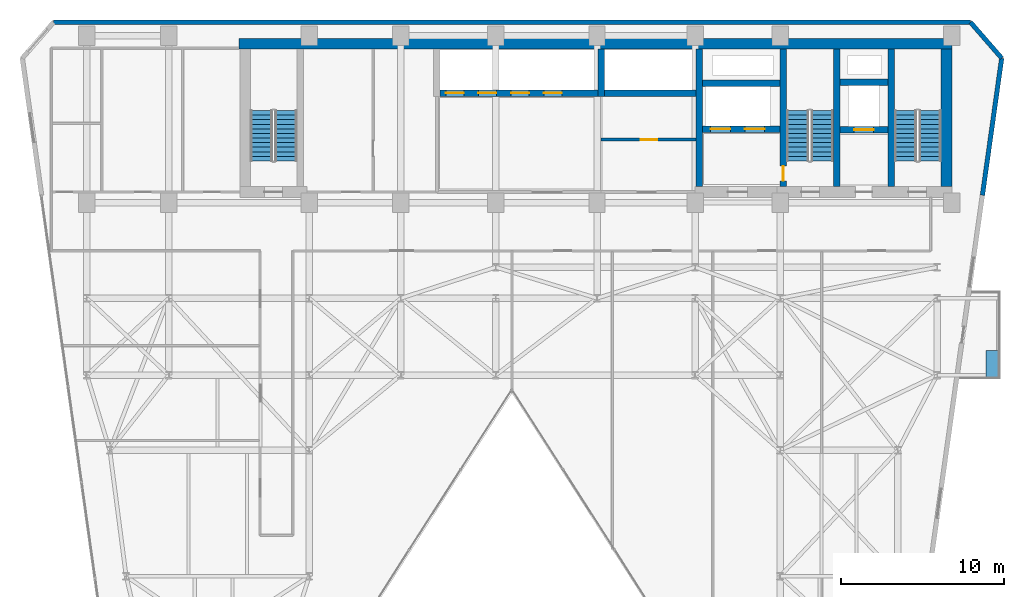
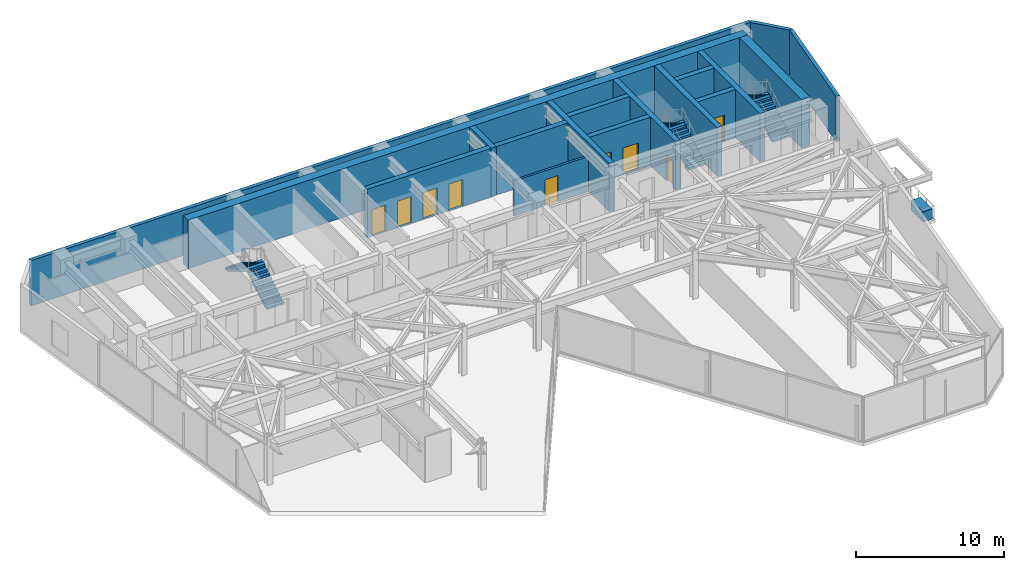
# One storey, part 23 of 26: 17 walls, 9 doors, 6 stair flights, 1 discrete accessory, 9 openings, 3 elements without a shape of their own.
"""IFC4 building model written with IfcOpenShell, lengths in metres."""

from ifc_helpers import new_model, si_unit, direction, frame, frame_2d, origin, origin_2d, place, context, subcontext, project, spatial, polyline, rectangle, outline, extrude, material, layer, layer_set, type_object, element, fill, aggregate, save


model = new_model("IFC4")

# Units and contexts
model_context = context("Model", 3, precision=1e-05, world=origin(), true_north=direction((0.0, 1.0)))
body_context = subcontext(model_context, "Body", "Model", "MODEL_VIEW")
ifc_project = project(units=[si_unit("LENGTHUNIT", "METRE"), si_unit("AREAUNIT", "SQUARE_METRE"), si_unit("VOLUMEUNIT", "CUBIC_METRE"), si_unit("PLANEANGLEUNIT", "RADIAN"), si_unit("MASSUNIT", "GRAM", prefix="KILO")], contexts=[model_context])

# Site, building, storey
site_placement = place(None, origin())
site = spatial("IfcSite", under=ifc_project, at=site_placement, CompositionType="ELEMENT")
building_placement = place(site_placement, origin())
building = spatial("IfcBuilding", under=site, at=building_placement, Name="Kravanh Interchange Tower", CompositionType="ELEMENT")
storey_placement = place(building_placement, frame((0.0, 0.0, 136.0)))
storey = spatial("IfcBuildingStorey", under=building, at=storey_placement, Name="L32", CompositionType="ELEMENT", Elevation=136.0)

# Walls
ifc_material_1 = material(Name="Concrete C70/85", Category="concrete")
ifc_layer_1 = layer(ifc_material_1, 0.64990234375)
ifc_layer_set_1 = layer_set([ifc_layer_1], Name="Core Shear Wall Concrete C70/85 650mm")
wall_type_1 = type_object("IfcWallType", Name="Core Shear Wall Concrete C70/85 650mm", PredefinedType="SHEAR", material=ifc_layer_set_1)
wall_1_placement = place(storey_placement, frame((22.89990234375, 47.074951171875, 0.0), z_axis=(0.0, 0.0, 1.0), x_axis=(1.0, 0.0, 0.0)))
element("IfcWall", 1, at=wall_1_placement, inside=storey, type_object=wall_type_1, Name="L32 North Core Shear Wall", PredefinedType="SHEAR", context=body_context, shape_type="SweptSolid", body=[
    extrude(rectangle(XDim=43.60009765625, YDim=0.64990234375, at=frame_2d((21.800048828125, 0.0))), origin(), (0.0, 0.0, 1.0), 4.0),
])
wall_2_placement = place(storey_placement, frame((66.175048828125, 38.324951171875, 0.0), z_axis=(0.0, 0.0, 1.0), x_axis=(0.0, 1.0, 0.0)))
element("IfcWall", 2, at=wall_2_placement, inside=storey, type_object=wall_type_1, Name="L32 Stair ST1 East Shear Wall", PredefinedType="SHEAR", context=body_context, shape_type="SweptSolid", body=[
    extrude(rectangle(XDim=8.425048828125, YDim=0.64990234375, at=frame_2d((4.21240234375, 0.0))), origin(), (0.0, 0.0, 1.0), 4.0),
])
ifc_material_2 = material(Name="Concrete C80/95", Category="concrete")
ifc_layer_2 = layer(ifc_material_2, 0.39990234375)
ifc_layer_set_2 = layer_set([ifc_layer_2], Name="Core Shear Wall Concrete C80/95 400mm")
wall_type_2 = type_object("IfcWallType", Name="Core Shear Wall Concrete C80/95 400mm", PredefinedType="SHEAR", material=ifc_layer_set_2)
for number, where, z_axis, x_axis, name in (
    (3, (62.800048828125, 38.324951171875, 0.0), (0.0, 0.0, 1.0), (0.0, 1.0, 0.0), "L32 Stair ST1 West Shear Wall"),
    (4, (59.449951171875, 38.324951171875, 0.0), (0.0, 0.0, 1.0), (0.0, 1.0, 0.0), "L32 Stair ST2 East Shear Wall"),
):
    element("IfcWall", number, at=place(storey_placement, frame(where, z_axis=z_axis, x_axis=x_axis)), inside=storey, type_object=wall_type_2, Name=name, PredefinedType="SHEAR", context=body_context, shape_type="SweptSolid", body=[
        extrude(rectangle(XDim=8.425048828125, YDim=0.39990234375, at=frame_2d((4.21240234375, 0.0))), origin(), (0.0, 0.0, 1.0), 4.0),
    ])

# Wall, opening, door
wall_3_placement = place(storey_placement, frame((56.199951171875, 38.324951171875, 0.0), z_axis=(0.0, 0.0, 1.0), x_axis=(0.0, 1.0, 0.0)))
wall_3 = element("IfcWall", 5, at=wall_3_placement, inside=storey, type_object=wall_type_2, Name="L32 Stair ST2 West Shear Wall", PredefinedType="SHEAR", context=body_context, shape_type="SweptSolid", body=[
    extrude(rectangle(XDim=8.425048828125, YDim=0.39990234375, at=frame_2d((4.21240234375, 0.0))), origin(), (0.0, 0.0, 1.0), 4.0),
])
opening_1_placement = place(wall_3_placement, frame((0.35498046875, 0.0, 0.0)))
opening_1 = element("IfcOpeningElement", 6, at=opening_1_placement, cuts=wall_3, Name="Opening D-STAIR-90", PredefinedType="OPENING", context=body_context, shape_type="SweptSolid", body=[
    extrude(rectangle(XDim=0.89990234375, YDim=2.14990234375, at=frame_2d((0.449951171875, 1.074951171875))), frame((0.0, 0.2099609375, 0.0), z_axis=(0.0, -1.0, 0.0), x_axis=(1.0, 0.0, 0.0)), (0.0, 0.0, 1.0), 0.419921875),
])
ifc_material_3 = material(Name="Structural Steel S355", Category="steel")
door_type_1 = type_object("IfcDoorType", Name="Fire-Rated Stair Lobby Door 900x2150", OperationType="NOTDEFINED", PredefinedType="DOOR", material=ifc_material_3)
door_1_placement = place(opening_1_placement, origin())
door_1 = element("IfcDoor", 7, at=door_1_placement, inside=storey, type_object=door_type_1, Name="L32 Firefighting Lobby to Stair ST2 Door", OperationType="SINGLE_SWING_LEFT", OverallHeight=2.14990234375, OverallWidth=0.89990234375, PredefinedType="DOOR", context=body_context, shape_type="SweptSolid", body=[
    extrude(rectangle(XDim=0.89990234375, YDim=2.14990234375, at=frame_2d((0.449951171875, 1.074951171875))), frame((0.0, 0.02490234375, 0.0), z_axis=(0.0, -1.0, 0.0), x_axis=(1.0, 0.0, 0.0)), (0.0, 0.0, 1.0), 0.050048828125),
])
fill(opening_1, door_1)

wall_4_placement = place(storey_placement, frame((59.64990234375, 41.800048828125, 0.0), z_axis=(0.0, 0.0, 1.0), x_axis=(1.0, 0.0, 0.0)))
wall_4 = element("IfcWall", 8, at=wall_4_placement, inside=storey, type_object=wall_type_2, Name="L32 Service Lift Shaft South Wall", PredefinedType="SHEAR", context=body_context, shape_type="SweptSolid", body=[
    extrude(rectangle(XDim=2.9501953125, YDim=0.39990234375, at=frame_2d((1.47509765625, 0.0))), origin(), (0.0, 0.0, 1.0), 4.0),
])
opening_2_placement = place(wall_4_placement, frame((0.8701171875, 0.0, 0.0)))
opening_2 = element("IfcOpeningElement", 9, at=opening_2_placement, cuts=wall_4, Name="Opening LD02", PredefinedType="OPENING", context=body_context, shape_type="SweptSolid", body=[
    extrude(rectangle(XDim=1.199951171875, YDim=2.199951171875, at=frame_2d((0.60009765625, 1.10009765625))), frame((0.0, 0.2099609375, 0.0), z_axis=(0.0, -1.0, 0.0), x_axis=(1.0, 0.0, 0.0)), (0.0, 0.0, 1.0), 0.419921875),
])
ifc_material_4 = material(Name="Stainless Steel 316", Category="steel")
door_type_2 = type_object("IfcDoorType", Name="Fire and Service Lift Sliding Landing Door 1200x2200", OperationType="DOUBLE_DOOR_SLIDING", PredefinedType="DOOR", material=ifc_material_4)
door_2_placement = place(opening_2_placement, origin())
door_2 = element("IfcDoor", 10, at=door_2_placement, inside=storey, type_object=door_type_2, Name="L32 Lift LS-01 Landing Door", OperationType="DOUBLE_DOOR_SLIDING", OverallHeight=2.199951171875, OverallWidth=1.199951171875, PredefinedType="DOOR", context=body_context, shape_type="SweptSolid", body=[
    extrude(rectangle(XDim=1.199951171875, YDim=2.199951171875, at=frame_2d((0.60009765625, 1.10009765625))), frame((0.0, 0.02490234375, 0.0), z_axis=(0.0, -1.0, 0.0), x_axis=(1.0, 0.0, 0.0)), (0.0, 0.0, 1.0), 0.050048828125),
])
fill(opening_2, door_2)

# Wall
wall_5_placement = place(storey_placement, frame((59.64990234375, 44.699951171875, 0.0), z_axis=(0.0, 0.0, 1.0), x_axis=(1.0, 0.0, 0.0)))
element("IfcWall", 11, at=wall_5_placement, inside=storey, type_object=wall_type_2, Name="L32 Service Lift Shaft North Wall", PredefinedType="SHEAR", context=body_context, shape_type="SweptSolid", body=[
    extrude(rectangle(XDim=2.9501953125, YDim=0.39990234375, at=frame_2d((1.47509765625, 0.0))), origin(), (0.0, 0.0, 1.0), 4.0),
])

# Wall, openings, doors
wall_6_placement = place(storey_placement, frame((51.25, 41.85009765625, 0.0), z_axis=(0.0, 0.0, 1.0), x_axis=(1.0, 0.0, 0.0)))
wall_6 = element("IfcWall", 12, at=wall_6_placement, inside=storey, type_object=wall_type_2, Name="L32 Fire Lift Shaft South Wall", PredefinedType="SHEAR", context=body_context, shape_type="SweptSolid", body=[
    extrude(rectangle(XDim=4.75, YDim=0.39990234375, at=frame_2d((2.375, 0.0))), origin(), (0.0, 0.0, 1.0), 4.0),
])
opening_3_placement = place(wall_6_placement, frame((0.5, 0.0, 0.0)))
opening_3 = element("IfcOpeningElement", 13, at=opening_3_placement, cuts=wall_6, Name="Opening LD02", PredefinedType="OPENING", context=body_context, shape_type="SweptSolid", body=[
    extrude(rectangle(XDim=1.199951171875, YDim=2.199951171875, at=frame_2d((0.60009765625, 1.10009765625))), frame((0.0, 0.2099609375, 0.0), z_axis=(0.0, -1.0, 0.0), x_axis=(1.0, 0.0, 0.0)), (0.0, 0.0, 1.0), 0.419921875),
])
opening_4_placement = place(wall_6_placement, frame((2.60009765625, 0.0, 0.0)))
opening_4 = element("IfcOpeningElement", 14, at=opening_4_placement, cuts=wall_6, Name="Opening LD02", PredefinedType="OPENING", context=body_context, shape_type="SweptSolid", body=[
    extrude(rectangle(XDim=1.199951171875, YDim=2.199951171875, at=frame_2d((0.60009765625, 1.10009765625))), frame((0.0, 0.2099609375, 0.0), z_axis=(0.0, -1.0, 0.0), x_axis=(1.0, 0.0, 0.0)), (0.0, 0.0, 1.0), 0.419921875),
])
door_3_placement = place(opening_3_placement, origin())
door_3 = element("IfcDoor", 15, at=door_3_placement, inside=storey, type_object=door_type_2, Name="L32 Lift FSAE-01 Landing Door", OperationType="DOUBLE_DOOR_SLIDING", OverallHeight=2.199951171875, OverallWidth=1.199951171875, PredefinedType="DOOR", context=body_context, shape_type="SweptSolid", body=[
    extrude(rectangle(XDim=1.199951171875, YDim=2.199951171875, at=frame_2d((0.60009765625, 1.10009765625))), frame((0.0, 0.02490234375, 0.0), z_axis=(0.0, -1.0, 0.0), x_axis=(1.0, 0.0, 0.0)), (0.0, 0.0, 1.0), 0.050048828125),
])
fill(opening_3, door_3)
door_4_placement = place(opening_4_placement, origin())
door_4 = element("IfcDoor", 16, at=door_4_placement, inside=storey, type_object=door_type_2, Name="L32 Lift FSAE-02 Landing Door", OperationType="DOUBLE_DOOR_SLIDING", OverallHeight=2.199951171875, OverallWidth=1.199951171875, PredefinedType="DOOR", context=body_context, shape_type="SweptSolid", body=[
    extrude(rectangle(XDim=1.199951171875, YDim=2.199951171875, at=frame_2d((0.60009765625, 1.10009765625))), frame((0.0, 0.02490234375, 0.0), z_axis=(0.0, -1.0, 0.0), x_axis=(1.0, 0.0, 0.0)), (0.0, 0.0, 1.0), 0.050048828125),
])
fill(opening_4, door_4)

# Walls
wall_7_placement = place(storey_placement, frame((51.25, 44.64990234375, 0.0), z_axis=(0.0, 0.0, 1.0), x_axis=(1.0, 0.0, 0.0)))
element("IfcWall", 17, at=wall_7_placement, inside=storey, type_object=wall_type_2, Name="L32 Fire Lift Shaft North Wall", PredefinedType="SHEAR", context=body_context, shape_type="SweptSolid", body=[
    extrude(rectangle(XDim=4.75, YDim=0.39990234375, at=frame_2d((2.375, 0.0))), origin(), (0.0, 0.0, 1.0), 4.0),
])
wall_8_placement = place(storey_placement, frame((51.050048828125, 38.324951171875, 0.0), z_axis=(0.0, 0.0, 1.0), x_axis=(0.0, 1.0, 0.0)))
element("IfcWall", 18, at=wall_8_placement, inside=storey, type_object=wall_type_2, Name="L32 Firefighting Lobby West Wall", PredefinedType="SHEAR", context=body_context, shape_type="SweptSolid", body=[
    extrude(rectangle(XDim=8.425048828125, YDim=0.39990234375, at=frame_2d((4.21240234375, 0.0))), origin(), (0.0, 0.0, 1.0), 4.0),
])
wall_9_placement = place(storey_placement, frame((45.25, 44.050048828125, 0.0), z_axis=(0.0, 0.0, 1.0), x_axis=(1.0, 0.0, 0.0)))
element("IfcWall", 19, at=wall_9_placement, inside=storey, type_object=wall_type_2, Name="L32 High-Rise Lift Shaft South Wall", PredefinedType="SHEAR", context=body_context, shape_type="SweptSolid", body=[
    extrude(rectangle(XDim=5.60009765625, YDim=0.39990234375, at=frame_2d((2.800048828125, 0.0))), origin(), (0.0, 0.0, 1.0), 4.0),
])
wall_10_placement = place(storey_placement, frame((45.050048828125, 43.85009765625, 0.0), z_axis=(0.0, 0.0, 1.0), x_axis=(0.0, 1.0, 0.0)))
element("IfcWall", 20, at=wall_10_placement, inside=storey, type_object=wall_type_2, Name="L32 High-Rise Lift Shaft West Wall", PredefinedType="SHEAR", context=body_context, shape_type="SweptSolid", body=[
    extrude(rectangle(XDim=2.89990234375, YDim=0.39990234375, at=frame_2d((1.449951171875, 0.0))), origin(), (0.0, 0.0, 1.0), 4.0),
])

# Wall, openings, doors
wall_11_placement = place(storey_placement, frame((35.199951171875, 44.050048828125, 0.0), z_axis=(0.0, 0.0, 1.0), x_axis=(1.0, 0.0, 0.0)))
wall_11 = element("IfcWall", 21, at=wall_11_placement, inside=storey, type_object=wall_type_2, Name="L32 Mid-Rise Lift Shaft South Wall", PredefinedType="SHEAR", context=body_context, shape_type="SweptSolid", body=[
    extrude(rectangle(XDim=9.650146484375, YDim=0.39990234375, at=frame_2d((4.8251953125, 0.0))), origin(), (0.0, 0.0, 1.0), 4.0),
])
opening_5_placement = place(wall_11_placement, frame((0.35009765625, 0.0, 0.0)))
opening_5 = element("IfcOpeningElement", 22, at=opening_5_placement, cuts=wall_11, Name="Opening LD01", PredefinedType="OPENING", context=body_context, shape_type="SweptSolid", body=[
    extrude(rectangle(XDim=1.10009765625, YDim=2.199951171875, at=frame_2d((0.550048828125, 1.10009765625))), frame((0.0, 0.2099609375, 0.0), z_axis=(0.0, -1.0, 0.0), x_axis=(1.0, 0.0, 0.0)), (0.0, 0.0, 1.0), 0.419921875),
])
opening_6_placement = place(wall_11_placement, frame((2.35009765625, 0.0, 0.0)))
opening_6 = element("IfcOpeningElement", 23, at=opening_6_placement, cuts=wall_11, Name="Opening LD01", PredefinedType="OPENING", context=body_context, shape_type="SweptSolid", body=[
    extrude(rectangle(XDim=1.10009765625, YDim=2.199951171875, at=frame_2d((0.550048828125, 1.10009765625))), frame((0.0, 0.2099609375, 0.0), z_axis=(0.0, -1.0, 0.0), x_axis=(1.0, 0.0, 0.0)), (0.0, 0.0, 1.0), 0.419921875),
])
opening_7_placement = place(wall_11_placement, frame((4.35009765625, 0.0, 0.0)))
opening_7 = element("IfcOpeningElement", 24, at=opening_7_placement, cuts=wall_11, Name="Opening LD01", PredefinedType="OPENING", context=body_context, shape_type="SweptSolid", body=[
    extrude(rectangle(XDim=1.10009765625, YDim=2.199951171875, at=frame_2d((0.550048828125, 1.10009765625))), frame((0.0, 0.2099609375, 0.0), z_axis=(0.0, -1.0, 0.0), x_axis=(1.0, 0.0, 0.0)), (0.0, 0.0, 1.0), 0.419921875),
])
opening_8_placement = place(wall_11_placement, frame((6.35009765625, 0.0, 0.0)))
opening_8 = element("IfcOpeningElement", 25, at=opening_8_placement, cuts=wall_11, Name="Opening LD01", PredefinedType="OPENING", context=body_context, shape_type="SweptSolid", body=[
    extrude(rectangle(XDim=1.10009765625, YDim=2.199951171875, at=frame_2d((0.550048828125, 1.10009765625))), frame((0.0, 0.2099609375, 0.0), z_axis=(0.0, -1.0, 0.0), x_axis=(1.0, 0.0, 0.0)), (0.0, 0.0, 1.0), 0.419921875),
])
ifc_material_5 = material(Name="Stainless Steel 304", Category="steel")
door_type_3 = type_object("IfcDoorType", Name="Passenger Lift Sliding Landing Door 1100x2200", OperationType="DOUBLE_DOOR_SLIDING", PredefinedType="DOOR", material=ifc_material_5)
door_5_placement = place(opening_5_placement, origin())
door_5 = element("IfcDoor", 26, at=door_5_placement, inside=storey, type_object=door_type_3, Name="L32 Lift LP-M1 Landing Door", OperationType="DOUBLE_DOOR_SLIDING", OverallHeight=2.199951171875, OverallWidth=1.10009765625, PredefinedType="DOOR", context=body_context, shape_type="SweptSolid", body=[
    extrude(rectangle(XDim=1.10009765625, YDim=2.199951171875, at=frame_2d((0.550048828125, 1.10009765625))), frame((0.0, 0.02490234375, 0.0), z_axis=(0.0, -1.0, 0.0), x_axis=(1.0, 0.0, 0.0)), (0.0, 0.0, 1.0), 0.050048828125),
])
fill(opening_5, door_5)
door_6_placement = place(opening_6_placement, origin())
door_6 = element("IfcDoor", 27, at=door_6_placement, inside=storey, type_object=door_type_3, Name="L32 Lift LP-M2 Landing Door", OperationType="DOUBLE_DOOR_SLIDING", OverallHeight=2.199951171875, OverallWidth=1.10009765625, PredefinedType="DOOR", context=body_context, shape_type="SweptSolid", body=[
    extrude(rectangle(XDim=1.10009765625, YDim=2.199951171875, at=frame_2d((0.550048828125, 1.10009765625))), frame((0.0, 0.02490234375, 0.0), z_axis=(0.0, -1.0, 0.0), x_axis=(1.0, 0.0, 0.0)), (0.0, 0.0, 1.0), 0.050048828125),
])
fill(opening_6, door_6)
door_7_placement = place(opening_7_placement, origin())
door_7 = element("IfcDoor", 28, at=door_7_placement, inside=storey, type_object=door_type_3, Name="L32 Lift LP-M3 Landing Door", OperationType="DOUBLE_DOOR_SLIDING", OverallHeight=2.199951171875, OverallWidth=1.10009765625, PredefinedType="DOOR", context=body_context, shape_type="SweptSolid", body=[
    extrude(rectangle(XDim=1.10009765625, YDim=2.199951171875, at=frame_2d((0.550048828125, 1.10009765625))), frame((0.0, 0.02490234375, 0.0), z_axis=(0.0, -1.0, 0.0), x_axis=(1.0, 0.0, 0.0)), (0.0, 0.0, 1.0), 0.050048828125),
])
fill(opening_7, door_7)
door_8_placement = place(opening_8_placement, origin())
door_8 = element("IfcDoor", 29, at=door_8_placement, inside=storey, type_object=door_type_3, Name="L32 Lift LP-M4 Landing Door", OperationType="DOUBLE_DOOR_SLIDING", OverallHeight=2.199951171875, OverallWidth=1.10009765625, PredefinedType="DOOR", context=body_context, shape_type="SweptSolid", body=[
    extrude(rectangle(XDim=1.10009765625, YDim=2.199951171875, at=frame_2d((0.550048828125, 1.10009765625))), frame((0.0, 0.02490234375, 0.0), z_axis=(0.0, -1.0, 0.0), x_axis=(1.0, 0.0, 0.0)), (0.0, 0.0, 1.0), 0.050048828125),
])
fill(opening_8, door_8)

# Walls
ifc_material_6 = material(Name="Insulated Precast Concrete C40/50 with Bronze Cladding", Category="concrete")
ifc_layer_3 = layer(ifc_material_6, 0.280029296875)
ifc_layer_set_3 = layer_set([ifc_layer_3], Name="Exterior Insulated Concrete C40/50 Bronze Spandrel Wall 280mm")
wall_type_3 = type_object("IfcWallType", Name="Exterior Insulated Concrete C40/50 Bronze Spandrel Wall 280mm", PredefinedType="STANDARD", material=ifc_layer_set_3)
wall_12_placement = place(storey_placement, frame((11.5546875, 48.3798828125, 0.0), z_axis=(0.0, 0.0, 1.0), x_axis=(1.0, 0.0, 0.0)))
element("IfcWall", 30, at=wall_12_placement, inside=storey, type_object=wall_type_3, Name="L32 Exterior Wall 3", PredefinedType="STANDARD", context=body_context, shape_type="SweptSolid", body=[
    extrude(rectangle(XDim=56.090576171875, YDim=0.280029296875, at=frame_2d((28.04541015625, 0.0))), origin(), (0.0, 0.0, 1.0), 3.75),
])
wall_13_placement = place(storey_placement, frame((67.645263671875, 48.3798828125, 0.0), z_axis=(0.0, 0.0, 1.0), x_axis=(0.656070644076, -0.754699483226, 0.0)))
element("IfcWall", 31, at=wall_13_placement, inside=storey, type_object=wall_type_3, Name="L32 Exterior Wall 4", PredefinedType="STANDARD", context=body_context, shape_type="SweptSolid", body=[
    extrude(rectangle(XDim=2.908447265625, YDim=0.280029296875, at=frame_2d((1.4541015625, 0.0))), origin(), (0.0, 0.0, 1.0), 3.75),
])
wall_14_placement = place(storey_placement, frame((69.553466796875, 46.184814453125, 0.0), z_axis=(0.0, 0.0, 1.0), x_axis=(-0.139180610108, -0.990267013371, 0.0)))
element("IfcWall", 32, at=wall_14_placement, inside=storey, type_object=wall_type_3, Name="L32 Exterior Wall 5", PredefinedType="STANDARD", context=body_context, shape_type="SweptSolid", body=[
    extrude(rectangle(XDim=8.46728515625, YDim=0.280029296875, at=frame_2d((4.233642578125, 0.0))), origin(), (0.0, 0.0, 1.0), 3.75),
])

# Wall, opening, door
ifc_material_7 = material(Name="Autoclaved Aerated Concrete C30/37 Blockwork", Category="masonry")
ifc_layer_4 = layer(ifc_material_7, 0.179931640625)
ifc_layer_set_4 = layer_set([ifc_layer_4], Name="Fire-Rated Lobby and Corridor Wall Concrete C30/37 180mm")
wall_type_4 = type_object("IfcWallType", Name="Fire-Rated Lobby and Corridor Wall Concrete C30/37 180mm", PredefinedType="STANDARD", material=ifc_layer_set_4)
wall_15_placement = place(storey_placement, frame((45.050048828125, 41.199951171875, 0.0), z_axis=(0.0, 0.0, 1.0), x_axis=(1.0, 0.0, 0.0)))
wall_15 = element("IfcWall", 33, at=wall_15_placement, inside=storey, type_object=wall_type_4, Name="L32 Interior Partition 2", PredefinedType="STANDARD", context=body_context, shape_type="SweptSolid", body=[
    extrude(rectangle(XDim=5.7919921875, YDim=0.179931640625, at=frame_2d((2.89599609375, 0.0))), origin(), (0.0, 0.0, 1.0), 2.89404296875),
])
opening_9_placement = place(wall_15_placement, frame((2.425048828125, 0.0, 0.0)))
opening_9 = element("IfcOpeningElement", 34, at=opening_9_placement, cuts=wall_15, Name="Opening D-HOTEL-100", PredefinedType="OPENING", context=body_context, shape_type="SweptSolid", body=[
    extrude(rectangle(XDim=1.0, YDim=2.14990234375, at=frame_2d((0.5, 1.074951171875))), frame((0.0, 0.10009765625, 0.0), z_axis=(0.0, -1.0, 0.0), x_axis=(1.0, 0.0, 0.0)), (0.0, 0.0, 1.0), 0.199951171875),
])
ifc_material_8 = material(Name="Fire-Rated Solid Timber Leaf", Category="wood")
door_type_4 = type_object("IfcDoorType", Name="Fire-Rated Suite Entrance Door 1000x2150", OperationType="NOTDEFINED", PredefinedType="DOOR", material=ifc_material_8)
door_9_placement = place(opening_9_placement, origin())
door_9 = element("IfcDoor", 35, at=door_9_placement, inside=storey, type_object=door_type_4, Name="L32 Core Telecom Inner Door", OperationType="SINGLE_SWING_RIGHT", OverallHeight=2.14990234375, OverallWidth=1.0, PredefinedType="DOOR", context=body_context, shape_type="SweptSolid", body=[
    extrude(rectangle(XDim=1.0, YDim=2.14990234375, at=frame_2d((0.5, 1.074951171875))), frame((0.0, 0.02490234375, 0.0), z_axis=(0.0, -1.0, 0.0), x_axis=(1.0, 0.0, 0.0)), (0.0, 0.0, 1.0), 0.050048828125),
])
fill(opening_9, door_9)

# Stair, stair flights
ifc_material_9 = material(Name="Concrete C50/60", Category="concrete")
stair_type = type_object("IfcStairType", Name="Core Fire Exit Dogleg Stair Concrete C50/60", PredefinedType="HALF_TURN_STAIR", material=ifc_material_9)
stair_1_placement = place(storey_placement, origin())
stair_1 = element("IfcStair", 36, at=stair_1_placement, inside=storey, type_object=stair_type, Name="L32 Exit Stair ST1", PredefinedType="HALF_TURN_STAIR")
ifc_material_10 = material(Name="Precast Concrete C50/60", Category="concrete")
ifc_layer_5 = layer(ifc_material_10, 0.199951171875)
ifc_layer_set_5 = layer_set([ifc_layer_5], Name="Precast Concrete C50/60 Stair Flight 1350mm")
stair_flight_type = type_object("IfcStairFlightType", Name="Precast Concrete C50/60 Stair Flight 1350mm", PredefinedType="STRAIGHT", material=ifc_layer_set_5)
stair_flight_1_placement = place(storey_placement, frame((65.175048828125, 39.89990234375, 0.0), z_axis=(0.0, 0.0, 1.0), x_axis=(0.0, 1.0, 0.0)))
stair_flight_1 = element("IfcStairFlight", 37, at=stair_flight_1_placement, type_object=stair_flight_type, Name="ST1 flight 1", NumberOfRisers=12, NumberOfTreads=11, PredefinedType="STRAIGHT", RiserHeight=0.166666667, TreadLength=0.28, context=body_context, shape_type="SweptSolid", body=[
    extrude(outline(polyline([(0.0, 0.0), (0.0, 0.166748046875), (0.280029296875, 0.166748046875), (0.280029296875, 0.333251953125), (0.56005859375, 0.333251953125), (0.56005859375, 0.5), (0.840087890625, 0.5), (0.840087890625, 0.666748046875), (1.1201171875, 0.666748046875), (1.1201171875, 0.833251953125), (1.39990234375, 0.833251953125), (1.39990234375, 1.0), (1.679931640625, 1.0), (1.679931640625, 1.166748046875), (1.9599609375, 1.166748046875), (1.9599609375, 1.333251953125), (2.239990234375, 1.333251953125), (2.239990234375, 1.5), (2.52001953125, 1.5), (2.52001953125, 1.666748046875), (2.800048828125, 1.666748046875), (2.800048828125, 1.833251953125), (3.080078125, 1.833251953125), (3.080078125, 2.0), (3.080078125, 1.658935546875), (0.29296875, 0.0), (0.0, 0.0)])), frame((0.0, 0.675048828125, 0.0), z_axis=(0.0, -1.0, 0.0), x_axis=(1.0, 0.0, 0.0)), (0.0, 0.0, 1.0), 1.35009765625),
])
stair_flight_2_placement = place(storey_placement, frame((63.675048828125, 42.97998046875, 2.0), z_axis=(0.0, 0.0, 1.0), x_axis=(0.0, -1.0, 0.0)))
stair_flight_2 = element("IfcStairFlight", 38, at=stair_flight_2_placement, type_object=stair_flight_type, Name="ST1 flight 2", NumberOfRisers=12, NumberOfTreads=11, PredefinedType="STRAIGHT", RiserHeight=0.166666667, TreadLength=0.28, context=body_context, shape_type="SweptSolid", body=[
    extrude(outline(polyline([(0.0, 0.0), (0.0, 0.166748046875), (0.280029296875, 0.166748046875), (0.280029296875, 0.333251953125), (0.56005859375, 0.333251953125), (0.56005859375, 0.5), (0.840087890625, 0.5), (0.840087890625, 0.666748046875), (1.1201171875, 0.666748046875), (1.1201171875, 0.833251953125), (1.39990234375, 0.833251953125), (1.39990234375, 1.0), (1.679931640625, 1.0), (1.679931640625, 1.166748046875), (1.9599609375, 1.166748046875), (1.9599609375, 1.333251953125), (2.239990234375, 1.333251953125), (2.239990234375, 1.5), (2.52001953125, 1.5), (2.52001953125, 1.666748046875), (2.800048828125, 1.666748046875), (2.800048828125, 1.833251953125), (3.080078125, 1.833251953125), (3.080078125, 2.0), (3.080078125, 1.658935546875), (0.29296875, 0.0), (0.0, 0.0)])), frame((0.0, 0.675048828125, 0.0), z_axis=(0.0, -1.0, 0.0), x_axis=(1.0, 0.0, 0.0)), (0.0, 0.0, 1.0), 1.35009765625),
])
aggregate(stair_1, [stair_flight_1, stair_flight_2])

stair_2_placement = place(storey_placement, origin())
stair_2 = element("IfcStair", 39, at=stair_2_placement, inside=storey, type_object=stair_type, Name="L32 Exit Stair ST2", PredefinedType="HALF_TURN_STAIR")
stair_flight_3_placement = place(storey_placement, frame((58.574951171875, 39.89990234375, 0.0), z_axis=(0.0, 0.0, 1.0), x_axis=(0.0, 1.0, 0.0)))
stair_flight_3 = element("IfcStairFlight", 40, at=stair_flight_3_placement, type_object=stair_flight_type, Name="ST2 flight 1", NumberOfRisers=12, NumberOfTreads=11, PredefinedType="STRAIGHT", RiserHeight=0.166666667, TreadLength=0.28, context=body_context, shape_type="SweptSolid", body=[
    extrude(outline(polyline([(0.0, 0.0), (0.0, 0.166748046875), (0.280029296875, 0.166748046875), (0.280029296875, 0.333251953125), (0.56005859375, 0.333251953125), (0.56005859375, 0.5), (0.840087890625, 0.5), (0.840087890625, 0.666748046875), (1.1201171875, 0.666748046875), (1.1201171875, 0.833251953125), (1.39990234375, 0.833251953125), (1.39990234375, 1.0), (1.679931640625, 1.0), (1.679931640625, 1.166748046875), (1.9599609375, 1.166748046875), (1.9599609375, 1.333251953125), (2.239990234375, 1.333251953125), (2.239990234375, 1.5), (2.52001953125, 1.5), (2.52001953125, 1.666748046875), (2.800048828125, 1.666748046875), (2.800048828125, 1.833251953125), (3.080078125, 1.833251953125), (3.080078125, 2.0), (3.080078125, 1.658935546875), (0.29296875, 0.0), (0.0, 0.0)])), frame((0.0, 0.675048828125, 0.0), z_axis=(0.0, -1.0, 0.0), x_axis=(1.0, 0.0, 0.0)), (0.0, 0.0, 1.0), 1.35009765625),
])
stair_flight_4_placement = place(storey_placement, frame((57.074951171875, 42.97998046875, 2.0), z_axis=(0.0, 0.0, 1.0), x_axis=(0.0, -1.0, 0.0)))
stair_flight_4 = element("IfcStairFlight", 41, at=stair_flight_4_placement, type_object=stair_flight_type, Name="ST2 flight 2", NumberOfRisers=12, NumberOfTreads=11, PredefinedType="STRAIGHT", RiserHeight=0.166666667, TreadLength=0.28, context=body_context, shape_type="SweptSolid", body=[
    extrude(outline(polyline([(0.0, 0.0), (0.0, 0.166748046875), (0.280029296875, 0.166748046875), (0.280029296875, 0.333251953125), (0.56005859375, 0.333251953125), (0.56005859375, 0.5), (0.840087890625, 0.5), (0.840087890625, 0.666748046875), (1.1201171875, 0.666748046875), (1.1201171875, 0.833251953125), (1.39990234375, 0.833251953125), (1.39990234375, 1.0), (1.679931640625, 1.0), (1.679931640625, 1.166748046875), (1.9599609375, 1.166748046875), (1.9599609375, 1.333251953125), (2.239990234375, 1.333251953125), (2.239990234375, 1.5), (2.52001953125, 1.5), (2.52001953125, 1.666748046875), (2.800048828125, 1.666748046875), (2.800048828125, 1.833251953125), (3.080078125, 1.833251953125), (3.080078125, 2.0), (3.080078125, 1.658935546875), (0.29296875, 0.0), (0.0, 0.0)])), frame((0.0, 0.675048828125, 0.0), z_axis=(0.0, -1.0, 0.0), x_axis=(1.0, 0.0, 0.0)), (0.0, 0.0, 1.0), 1.35009765625),
])
aggregate(stair_2, [stair_flight_3, stair_flight_4])

stair_3_placement = place(storey_placement, origin())
stair_3 = element("IfcStair", 42, at=stair_3_placement, inside=storey, type_object=stair_type, Name="L32 Exit Stair ST3", PredefinedType="HALF_TURN_STAIR")
stair_flight_5_placement = place(storey_placement, frame((25.77490234375, 39.89990234375, 0.0), z_axis=(0.0, 0.0, 1.0), x_axis=(0.0, 1.0, 0.0)))
stair_flight_5 = element("IfcStairFlight", 43, at=stair_flight_5_placement, type_object=stair_flight_type, Name="ST3 flight 1", NumberOfRisers=12, NumberOfTreads=11, PredefinedType="STRAIGHT", RiserHeight=0.166666667, TreadLength=0.28, context=body_context, shape_type="SweptSolid", body=[
    extrude(outline(polyline([(0.0, 0.0), (0.0, 0.166748046875), (0.280029296875, 0.166748046875), (0.280029296875, 0.333251953125), (0.56005859375, 0.333251953125), (0.56005859375, 0.5), (0.840087890625, 0.5), (0.840087890625, 0.666748046875), (1.1201171875, 0.666748046875), (1.1201171875, 0.833251953125), (1.39990234375, 0.833251953125), (1.39990234375, 1.0), (1.679931640625, 1.0), (1.679931640625, 1.166748046875), (1.9599609375, 1.166748046875), (1.9599609375, 1.333251953125), (2.239990234375, 1.333251953125), (2.239990234375, 1.5), (2.52001953125, 1.5), (2.52001953125, 1.666748046875), (2.800048828125, 1.666748046875), (2.800048828125, 1.833251953125), (3.080078125, 1.833251953125), (3.080078125, 2.0), (3.080078125, 1.658935546875), (0.29296875, 0.0), (0.0, 0.0)])), frame((0.0, 0.675048828125, 0.0), z_axis=(0.0, -1.0, 0.0), x_axis=(1.0, 0.0, 0.0)), (0.0, 0.0, 1.0), 1.35009765625),
])
stair_flight_6_placement = place(storey_placement, frame((24.27490234375, 42.97998046875, 2.0), z_axis=(0.0, 0.0, 1.0), x_axis=(0.0, -1.0, 0.0)))
stair_flight_6 = element("IfcStairFlight", 44, at=stair_flight_6_placement, type_object=stair_flight_type, Name="ST3 flight 2", NumberOfRisers=12, NumberOfTreads=11, PredefinedType="STRAIGHT", RiserHeight=0.166666667, TreadLength=0.28, context=body_context, shape_type="SweptSolid", body=[
    extrude(outline(polyline([(0.0, 0.0), (0.0, 0.166748046875), (0.280029296875, 0.166748046875), (0.280029296875, 0.333251953125), (0.56005859375, 0.333251953125), (0.56005859375, 0.5), (0.840087890625, 0.5), (0.840087890625, 0.666748046875), (1.1201171875, 0.666748046875), (1.1201171875, 0.833251953125), (1.39990234375, 0.833251953125), (1.39990234375, 1.0), (1.679931640625, 1.0), (1.679931640625, 1.166748046875), (1.9599609375, 1.166748046875), (1.9599609375, 1.333251953125), (2.239990234375, 1.333251953125), (2.239990234375, 1.5), (2.52001953125, 1.5), (2.52001953125, 1.666748046875), (2.800048828125, 1.666748046875), (2.800048828125, 1.833251953125), (3.080078125, 1.833251953125), (3.080078125, 2.0), (3.080078125, 1.658935546875), (0.29296875, 0.0), (0.0, 0.0)])), frame((0.0, 0.675048828125, 0.0), z_axis=(0.0, -1.0, 0.0), x_axis=(1.0, 0.0, 0.0)), (0.0, 0.0, 1.0), 1.35009765625),
])
aggregate(stair_3, [stair_flight_5, stair_flight_6])

# Discrete accessory
ifc_material_11 = material(Name="Architectural GRC Concrete C40/50 with Root Barrier", Category="concrete")
discrete_accessory_type = type_object("IfcDiscreteAccessoryType", Name="Structural Balcony Tree Planter Box Concrete C40/50 1600x750x850", PredefinedType="USERDEFINED", material=ifc_material_11)
discrete_accessory_placement = place(storey_placement, frame((68.969970703125, 27.5, 0.0), z_axis=(0.0, 0.0, 1.0), x_axis=(1.0, 0.0, 0.0)))
element("IfcDiscreteAccessory", 45, at=discrete_accessory_placement, inside=storey, type_object=discrete_accessory_type, Name="L32 E Balcony TREE PLANTER", ObjectType="PLANTER", PredefinedType="USERDEFINED", context=body_context, shape_type="SweptSolid", body=[
    extrude(rectangle(XDim=0.75, YDim=1.60009765625, at=origin_2d()), origin(), (0.0, 0.0, 1.0), 0.85009765625),
])

save(model, "model.ifc")
